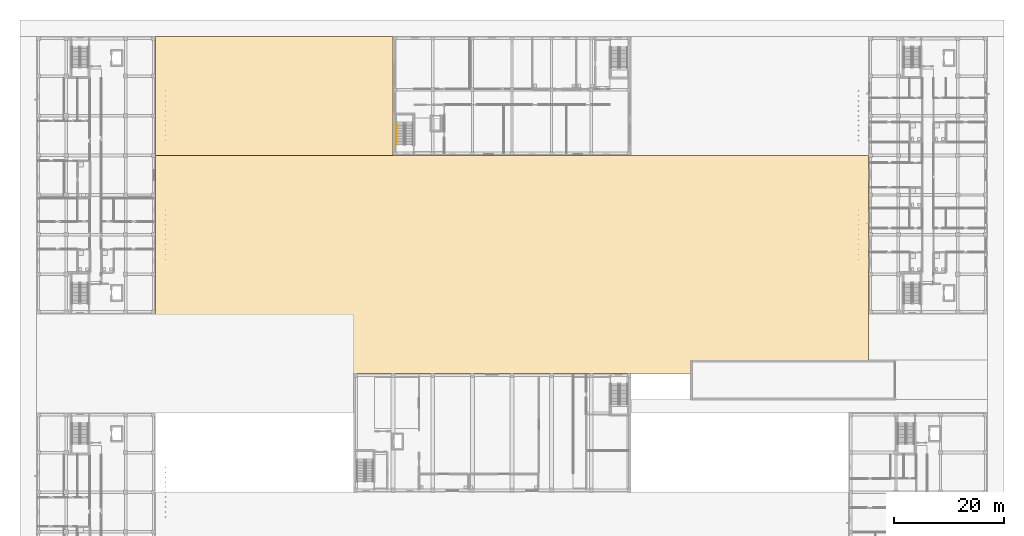
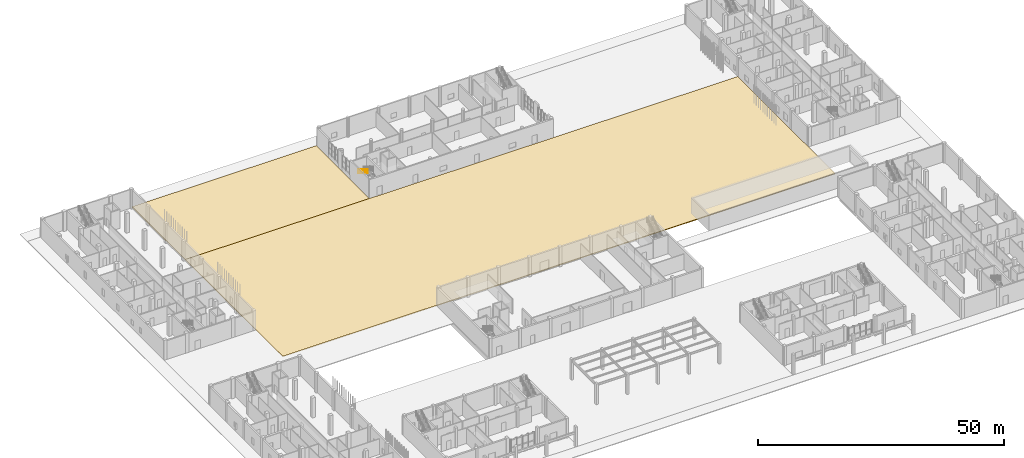
# One storey, part 71 of 85: 2 coverings, 1 railing.
"""IFC4 building model written with IfcOpenShell, lengths in metres."""

from ifc_helpers import new_model, si_unit, derived_unit, direction, frame, origin, origin_2d, place, context, subcontext, project, spatial, polyline, circle, outline, extrude, material, layer, layer_set, type_object, element, save


model = new_model("IFC4")

# Units and contexts
model_context = context("Model", 3, precision=1e-05, world=origin(), true_north=direction((0.0, 1.0)))
body_context = subcontext(model_context, "Body", "Model", "MODEL_VIEW")
ifc_project = project(units=[si_unit("LENGTHUNIT", "METRE"), si_unit("AREAUNIT", "SQUARE_METRE"), si_unit("VOLUMEUNIT", "CUBIC_METRE"), si_unit("PLANEANGLEUNIT", "RADIAN"), si_unit("MASSUNIT", "GRAM", prefix="KILO"), derived_unit("THERMALTRANSMITTANCEUNIT", [(si_unit("MASSUNIT", "GRAM", prefix="KILO"), 1), (si_unit("TIMEUNIT", "SECOND"), -3), (si_unit("THERMODYNAMICTEMPERATUREUNIT", "KELVIN"), -1)])], contexts=[model_context])

# Site, building, storey
site_placement = place(None, origin())
site = spatial("IfcSite", under=ifc_project, at=site_placement, CompositionType="ELEMENT")
building_placement = place(site_placement, origin())
building = spatial("IfcBuilding", under=site, at=building_placement, Name="Ochrekiln Boulevard Commons", CompositionType="ELEMENT")
storey_placement = place(building_placement, origin())
storey = spatial("IfcBuildingStorey", under=building, at=storey_placement, Name="L00", CompositionType="ELEMENT", Elevation=0.0)

# Coverings
ifc_material_1 = material(Name="Precast concrete C40/50", Category="concrete")
ifc_layer = layer(ifc_material_1, 0.18994140625)
ifc_layer_set = layer_set([ifc_layer], Name="Precast concrete C40/50")
covering_type = type_object("IfcCoveringType", Name="COV-PAV-190", PredefinedType="FLOORING", material=ifc_layer_set)
covering_1_placement = place(storey_placement, frame((0.0, 0.0, -0.18994140625)))
element("IfcCovering", 1, at=covering_1_placement, inside=storey, type_object=covering_type, Name="Central Mojave Courtyard and Play-Court Paving Slab", PredefinedType="FLOORING", context=body_context, shape_type="SweptSolid", body=[
    extrude(outline(polyline([(21.60009765625, 57.60009765625), (151.199951171875, 57.60009765625), (151.199951171875, 97.199951171875), (21.60009765625, 97.199951171875), (21.60009765625, 57.60009765625)])), origin(), (0.0, 0.0, 1.0), 0.18994140625),
])
covering_2_placement = place(storey_placement, frame((0.0, 0.0, -0.18994140625)))
element("IfcCovering", 2, at=covering_2_placement, inside=storey, type_object=covering_type, Name="North-West Garden Courtyard Paving Slab", PredefinedType="FLOORING", context=body_context, shape_type="SweptSolid", body=[
    extrude(outline(polyline([(21.60009765625, 97.199951171875), (64.800048828125, 97.199951171875), (64.800048828125, 118.800048828125), (21.60009765625, 118.800048828125), (21.60009765625, 97.199951171875)])), origin(), (0.0, 0.0, 1.0), 0.18994140625),
])

# Railing
ifc_material_2 = material(Name="Brushed stainless steel 316 tubular railing", Category="steel")
railing_type = type_object("IfcRailingType", Name="RLG-HDR-900", PredefinedType="HANDRAIL", material=ifc_material_2)
railing_placement = place(storey_placement, frame((65.449951171875, 102.919921875, 2.625)))
element("IfcRailing", 3, at=railing_placement, inside=storey, type_object=railing_type, Name="L00 ST-N1 stair handrail 2", PredefinedType="HANDRAIL", context=body_context, shape_type="SweptSolid", body=[
    extrude(circle(Radius=0.02392578125, at=origin_2d()), frame((0.0, 0.0, 0.8759765625), z_axis=(0.0, -0.856198655849, 0.51664674752), x_axis=(1.0, 0.0, 0.0)), (0.0, 0.0, 1.0), 4.4033203125),
    extrude(circle(Radius=0.02099609375, at=origin_2d()), origin(), (0.0, 0.0, 1.0), 0.851806640625),
    extrude(circle(Radius=0.02099609375, at=origin_2d()), frame((0.0, -0.9423828125, 0.56884765625)), (0.0, 0.0, 1.0), 0.851806640625),
    extrude(circle(Radius=0.02099609375, at=origin_2d()), frame((0.0, -1.885009765625, 1.137451171875)), (0.0, 0.0, 1.0), 0.851806640625),
    extrude(circle(Radius=0.02099609375, at=origin_2d()), frame((0.0, -2.82763671875, 1.7060546875)), (0.0, 0.0, 1.0), 0.851806640625),
    extrude(circle(Radius=0.02099609375, at=origin_2d()), frame((0.0, -3.77001953125, 2.27490234375)), (0.0, 0.0, 1.0), 0.851806640625),
])

save(model, "model.ifc")
